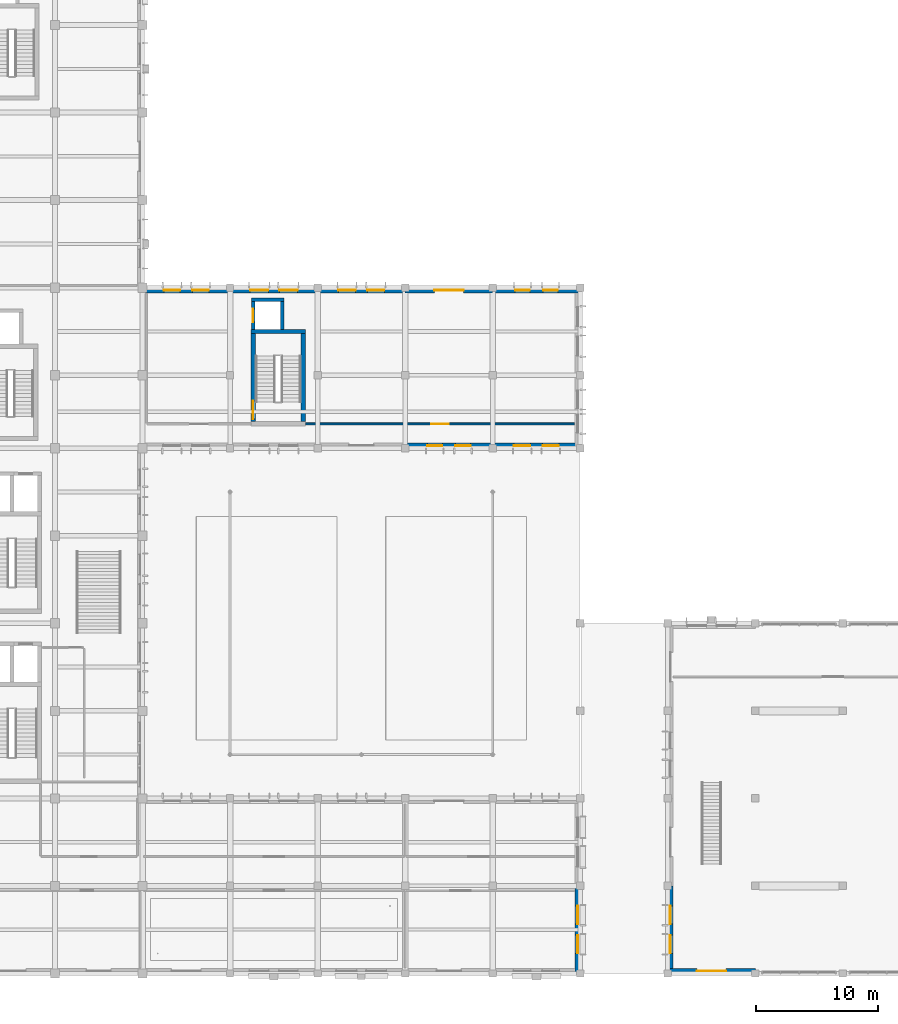
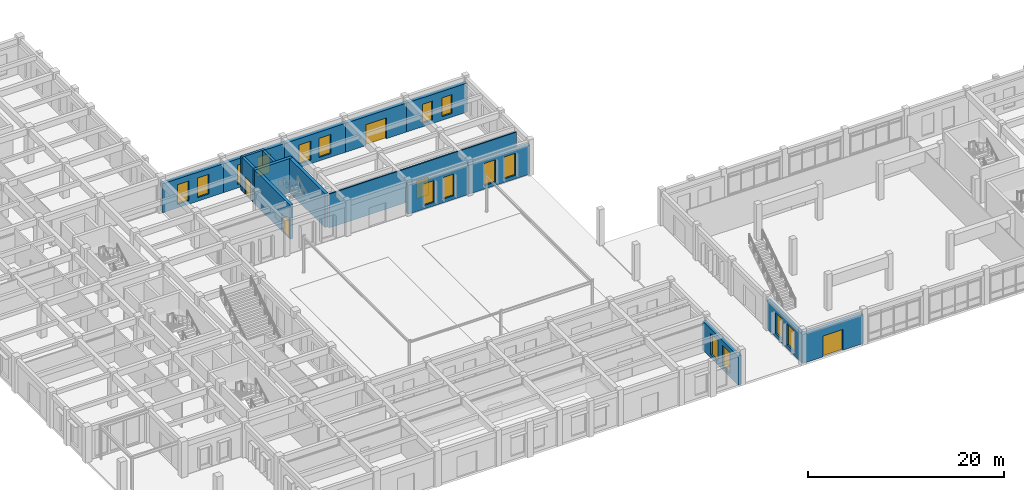
# One storey, part 25 of 43: 17 walls, 16 windows, 5 doors, 21 openings.
"""IFC4 building model written with IfcOpenShell, lengths in metres."""

from ifc_helpers import new_model, si_unit, direction, frame, frame_2d, origin, place, context, subcontext, project, spatial, rectangle, extrude, material, layer, layer_set, type_object, element, fill, save


model = new_model("IFC4")

# Units and contexts
model_context = context("Model", 3, precision=1e-05, world=origin(), true_north=direction((0.0, 1.0)))
body_context = subcontext(model_context, "Body", "Model", "MODEL_VIEW")
ifc_project = project(units=[si_unit("LENGTHUNIT", "METRE"), si_unit("AREAUNIT", "SQUARE_METRE"), si_unit("VOLUMEUNIT", "CUBIC_METRE"), si_unit("PLANEANGLEUNIT", "RADIAN"), si_unit("MASSUNIT", "GRAM", prefix="KILO")], contexts=[model_context])

# Site, building, storey
site_placement = place(None, origin())
site = spatial("IfcSite", under=ifc_project, at=site_placement, CompositionType="ELEMENT")
building_placement = place(site_placement, origin())
building = spatial("IfcBuilding", under=site, at=building_placement, Name="Alvorim Cloister Faculty of Sciences", CompositionType="ELEMENT")
storey_placement = place(building_placement, origin())
storey = spatial("IfcBuildingStorey", under=building, at=storey_placement, Name="L00", CompositionType="ELEMENT", Elevation=0.0)

# Wall, openings, windows
ifc_material_1 = material(Name="Maua Grey Granite Stone", Category="masonry")
ifc_layer_1 = layer(ifc_material_1, 0.419921875)
ifc_layer_set_1 = layer_set([ifc_layer_1], Name="Maua Grey Granite Stone")
wall_type_1 = type_object("IfcWallType", Name="WL-EXT-GRN-420", PredefinedType="SOLIDWALL", material=ifc_layer_set_1)
wall_1_placement = place(storey_placement, frame((64.590087890625, 0.0, 0.0), z_axis=(0.0, 0.0, 1.0), x_axis=(0.0, 1.0, 0.0)))
wall_1 = element("IfcWall", 1, at=wall_1_placement, inside=storey, type_object=wall_type_1, Name="L00 Exterior Wall WL-0018", PredefinedType="SOLIDWALL", context=body_context, shape_type="SweptSolid", body=[
    extrude(rectangle(XDim=7.199951171875, YDim=0.419921875, at=frame_2d((3.60009765625, 0.0))), origin(), (0.0, 0.0, 1.0), 3.6201171875),
])
opening_1_placement = place(wall_1_placement, frame((1.64990234375, 0.0, 0.449951171875)))
opening_1 = element("IfcOpeningElement", 2, at=opening_1_placement, cuts=wall_1, Name="Opening W-12", PredefinedType="OPENING", context=body_context, shape_type="SweptSolid", body=[
    extrude(rectangle(XDim=1.5, YDim=2.60009765625, at=frame_2d((0.75, 1.300048828125))), frame((0.0, 0.221923828125, 0.0), z_axis=(0.0, -1.0, 0.0), x_axis=(1.0, 0.0, 0.0)), (0.0, 0.0, 1.0), 0.44384765625),
])
opening_2_placement = place(wall_1_placement, frame((4.050048828125, 0.0, 0.449951171875)))
opening_2 = element("IfcOpeningElement", 3, at=opening_2_placement, cuts=wall_1, Name="Opening W-12", PredefinedType="OPENING", context=body_context, shape_type="SweptSolid", body=[
    extrude(rectangle(XDim=1.5, YDim=2.60009765625, at=frame_2d((0.75, 1.300048828125))), frame((0.0, 0.221923828125, 0.0), z_axis=(0.0, -1.0, 0.0), x_axis=(1.0, 0.0, 0.0)), (0.0, 0.0, 1.0), 0.44384765625),
])
ifc_material_2 = material(Name="Double Low-E Laminated Glass", Category="glass")
window_type_1 = type_object("IfcWindowType", Name="WN-LIB-1500x2600", PartitioningType="SINGLE_PANEL", PredefinedType="WINDOW", material=ifc_material_2)
window_1_placement = place(opening_1_placement, origin())
window_1 = element("IfcWindow", 4, at=window_1_placement, inside=storey, type_object=window_type_1, Name="L00 Gothic Lancet Window WN-0003", OverallHeight=2.60009765625, OverallWidth=1.5, PartitioningType="SINGLE_PANEL", PredefinedType="WINDOW", context=body_context, shape_type="SweptSolid", body=[
    extrude(rectangle(XDim=1.5, YDim=2.60009765625, at=frame_2d((0.75, 1.300048828125))), frame((0.0, 0.030029296875, 0.0), z_axis=(0.0, -1.0, 0.0), x_axis=(1.0, 0.0, 0.0)), (0.0, 0.0, 1.0), 0.06005859375),
])
fill(opening_1, window_1)
window_2_placement = place(opening_2_placement, origin())
window_2 = element("IfcWindow", 5, at=window_2_placement, inside=storey, type_object=window_type_1, Name="L00 Gothic Lancet Window WN-0004", OverallHeight=2.60009765625, OverallWidth=1.5, PartitioningType="SINGLE_PANEL", PredefinedType="WINDOW", context=body_context, shape_type="SweptSolid", body=[
    extrude(rectangle(XDim=1.5, YDim=2.60009765625, at=frame_2d((0.75, 1.300048828125))), frame((0.0, 0.030029296875, 0.0), z_axis=(0.0, -1.0, 0.0), x_axis=(1.0, 0.0, 0.0)), (0.0, 0.0, 1.0), 0.06005859375),
])
fill(opening_2, window_2)

wall_2_placement = place(storey_placement, frame((28.800048828125, 56.18994140625, 0.0), z_axis=(0.0, 0.0, 1.0), x_axis=(1.0, 0.0, 0.0)))
wall_2 = element("IfcWall", 6, at=wall_2_placement, inside=storey, type_object=wall_type_1, Name="L00 Exterior Wall WL-0056", PredefinedType="SOLIDWALL", context=body_context, shape_type="SweptSolid", body=[
    extrude(rectangle(XDim=7.199951171875, YDim=0.419921875, at=frame_2d((3.60009765625, 0.0))), origin(), (0.0, 0.0, 1.0), 3.6201171875),
])
opening_3_placement = place(wall_2_placement, frame((1.75, 0.0, 0.449951171875)))
opening_3 = element("IfcOpeningElement", 7, at=opening_3_placement, cuts=wall_2, Name="Opening W-18", PredefinedType="OPENING", context=body_context, shape_type="SweptSolid", body=[
    extrude(rectangle(XDim=1.35009765625, YDim=2.449951171875, at=frame_2d((0.675048828125, 1.22509765625))), frame((0.0, 0.221923828125, 0.0), z_axis=(0.0, -1.0, 0.0), x_axis=(1.0, 0.0, 0.0)), (0.0, 0.0, 1.0), 0.44384765625),
])
opening_4_placement = place(wall_2_placement, frame((4.10009765625, 0.0, 0.449951171875)))
opening_4 = element("IfcOpeningElement", 8, at=opening_4_placement, cuts=wall_2, Name="Opening W-18", PredefinedType="OPENING", context=body_context, shape_type="SweptSolid", body=[
    extrude(rectangle(XDim=1.35009765625, YDim=2.449951171875, at=frame_2d((0.675048828125, 1.22509765625))), frame((0.0, 0.221923828125, 0.0), z_axis=(0.0, -1.0, 0.0), x_axis=(1.0, 0.0, 0.0)), (0.0, 0.0, 1.0), 0.44384765625),
])
window_type_2 = type_object("IfcWindowType", Name="WN-LAB-1350x2450", PartitioningType="SINGLE_PANEL", PredefinedType="WINDOW", material=ifc_material_2)
window_3_placement = place(opening_3_placement, origin())
window_3 = element("IfcWindow", 9, at=window_3_placement, inside=storey, type_object=window_type_2, Name="L00 Gothic Lancet Window WN-0057", OverallHeight=2.449951171875, OverallWidth=1.35009765625, PartitioningType="SINGLE_PANEL", PredefinedType="WINDOW", context=body_context, shape_type="SweptSolid", body=[
    extrude(rectangle(XDim=1.35009765625, YDim=2.449951171875, at=frame_2d((0.675048828125, 1.22509765625))), frame((0.0, 0.030029296875, 0.0), z_axis=(0.0, -1.0, 0.0), x_axis=(1.0, 0.0, 0.0)), (0.0, 0.0, 1.0), 0.06005859375),
])
fill(opening_3, window_3)
window_4_placement = place(opening_4_placement, origin())
window_4 = element("IfcWindow", 10, at=window_4_placement, inside=storey, type_object=window_type_2, Name="L00 Gothic Lancet Window WN-0058", OverallHeight=2.449951171875, OverallWidth=1.35009765625, PartitioningType="SINGLE_PANEL", PredefinedType="WINDOW", context=body_context, shape_type="SweptSolid", body=[
    extrude(rectangle(XDim=1.35009765625, YDim=2.449951171875, at=frame_2d((0.675048828125, 1.22509765625))), frame((0.0, 0.030029296875, 0.0), z_axis=(0.0, -1.0, 0.0), x_axis=(1.0, 0.0, 0.0)), (0.0, 0.0, 1.0), 0.06005859375),
])
fill(opening_4, window_4)

wall_3_placement = place(storey_placement, frame((36.0, 56.18994140625, 0.0), z_axis=(0.0, 0.0, 1.0), x_axis=(1.0, 0.0, 0.0)))
wall_3 = element("IfcWall", 11, at=wall_3_placement, inside=storey, type_object=wall_type_1, Name="L00 Exterior Wall WL-0057", PredefinedType="SOLIDWALL", context=body_context, shape_type="SweptSolid", body=[
    extrude(rectangle(XDim=7.199951171875, YDim=0.419921875, at=frame_2d((3.60009765625, 0.0))), origin(), (0.0, 0.0, 1.0), 3.6201171875),
])
opening_5_placement = place(wall_3_placement, frame((1.64990234375, 0.0, 0.449951171875)))
opening_5 = element("IfcOpeningElement", 12, at=opening_5_placement, cuts=wall_3, Name="Opening W-19", PredefinedType="OPENING", context=body_context, shape_type="SweptSolid", body=[
    extrude(rectangle(XDim=1.5, YDim=2.39990234375, at=frame_2d((0.75, 1.199951171875))), frame((0.0, 0.221923828125, 0.0), z_axis=(0.0, -1.0, 0.0), x_axis=(1.0, 0.0, 0.0)), (0.0, 0.0, 1.0), 0.44384765625),
])
opening_6_placement = place(wall_3_placement, frame((4.050048828125, 0.0, 0.449951171875)))
opening_6 = element("IfcOpeningElement", 13, at=opening_6_placement, cuts=wall_3, Name="Opening W-19", PredefinedType="OPENING", context=body_context, shape_type="SweptSolid", body=[
    extrude(rectangle(XDim=1.5, YDim=2.39990234375, at=frame_2d((0.75, 1.199951171875))), frame((0.0, 0.221923828125, 0.0), z_axis=(0.0, -1.0, 0.0), x_axis=(1.0, 0.0, 0.0)), (0.0, 0.0, 1.0), 0.44384765625),
])
window_type_3 = type_object("IfcWindowType", Name="WN-OFF-1500x2400", PartitioningType="SINGLE_PANEL", PredefinedType="WINDOW", material=ifc_material_2)
window_5_placement = place(opening_5_placement, origin())
window_5 = element("IfcWindow", 14, at=window_5_placement, inside=storey, type_object=window_type_3, Name="L00 Gothic Lancet Window WN-0059", OverallHeight=2.39990234375, OverallWidth=1.5, PartitioningType="SINGLE_PANEL", PredefinedType="WINDOW", context=body_context, shape_type="SweptSolid", body=[
    extrude(rectangle(XDim=1.5, YDim=2.39990234375, at=frame_2d((0.75, 1.199951171875))), frame((0.0, 0.030029296875, 0.0), z_axis=(0.0, -1.0, 0.0), x_axis=(1.0, 0.0, 0.0)), (0.0, 0.0, 1.0), 0.06005859375),
])
fill(opening_5, window_5)
window_6_placement = place(opening_6_placement, origin())
window_6 = element("IfcWindow", 15, at=window_6_placement, inside=storey, type_object=window_type_3, Name="L00 Gothic Lancet Window WN-0060", OverallHeight=2.39990234375, OverallWidth=1.5, PartitioningType="SINGLE_PANEL", PredefinedType="WINDOW", context=body_context, shape_type="SweptSolid", body=[
    extrude(rectangle(XDim=1.5, YDim=2.39990234375, at=frame_2d((0.75, 1.199951171875))), frame((0.0, 0.030029296875, 0.0), z_axis=(0.0, -1.0, 0.0), x_axis=(1.0, 0.0, 0.0)), (0.0, 0.0, 1.0), 0.06005859375),
])
fill(opening_6, window_6)

wall_4_placement = place(storey_placement, frame((43.199951171875, 56.18994140625, 0.0), z_axis=(0.0, 0.0, 1.0), x_axis=(1.0, 0.0, 0.0)))
wall_4 = element("IfcWall", 16, at=wall_4_placement, inside=storey, type_object=wall_type_1, Name="L00 Exterior Wall WL-0058", PredefinedType="SOLIDWALL", context=body_context, shape_type="SweptSolid", body=[
    extrude(rectangle(XDim=7.199951171875, YDim=0.419921875, at=frame_2d((3.60009765625, 0.0))), origin(), (0.0, 0.0, 1.0), 3.6201171875),
])
opening_7_placement = place(wall_4_placement, frame((1.716796875, 0.0, 0.449951171875)))
opening_7 = element("IfcOpeningElement", 17, at=opening_7_placement, cuts=wall_4, Name="Opening W-20", PredefinedType="OPENING", context=body_context, shape_type="SweptSolid", body=[
    extrude(rectangle(XDim=1.39990234375, YDim=2.3798828125, at=frame_2d((0.699951171875, 1.18994140625))), frame((0.0, 0.221923828125, 0.0), z_axis=(0.0, -1.0, 0.0), x_axis=(1.0, 0.0, 0.0)), (0.0, 0.0, 1.0), 0.44384765625),
])
opening_8_placement = place(wall_4_placement, frame((4.083251953125, 0.0, 0.449951171875)))
opening_8 = element("IfcOpeningElement", 18, at=opening_8_placement, cuts=wall_4, Name="Opening W-20", PredefinedType="OPENING", context=body_context, shape_type="SweptSolid", body=[
    extrude(rectangle(XDim=1.39990234375, YDim=2.3798828125, at=frame_2d((0.699951171875, 1.18994140625))), frame((0.0, 0.221923828125, 0.0), z_axis=(0.0, -1.0, 0.0), x_axis=(1.0, 0.0, 0.0)), (0.0, 0.0, 1.0), 0.44384765625),
])
window_type_4 = type_object("IfcWindowType", Name="WN-OFF-1400x2380", PartitioningType="SINGLE_PANEL", PredefinedType="WINDOW", material=ifc_material_2)
window_7_placement = place(opening_7_placement, origin())
window_7 = element("IfcWindow", 19, at=window_7_placement, inside=storey, type_object=window_type_4, Name="L00 Gothic Lancet Window WN-0061", OverallHeight=2.3798828125, OverallWidth=1.39990234375, PartitioningType="SINGLE_PANEL", PredefinedType="WINDOW", context=body_context, shape_type="SweptSolid", body=[
    extrude(rectangle(XDim=1.39990234375, YDim=2.3798828125, at=frame_2d((0.699951171875, 1.18994140625))), frame((0.0, 0.030029296875, 0.0), z_axis=(0.0, -1.0, 0.0), x_axis=(1.0, 0.0, 0.0)), (0.0, 0.0, 1.0), 0.06005859375),
])
fill(opening_7, window_7)
window_8_placement = place(opening_8_placement, origin())
window_8 = element("IfcWindow", 20, at=window_8_placement, inside=storey, type_object=window_type_4, Name="L00 Gothic Lancet Window WN-0062", OverallHeight=2.3798828125, OverallWidth=1.39990234375, PartitioningType="SINGLE_PANEL", PredefinedType="WINDOW", context=body_context, shape_type="SweptSolid", body=[
    extrude(rectangle(XDim=1.39990234375, YDim=2.3798828125, at=frame_2d((0.699951171875, 1.18994140625))), frame((0.0, 0.030029296875, 0.0), z_axis=(0.0, -1.0, 0.0), x_axis=(1.0, 0.0, 0.0)), (0.0, 0.0, 1.0), 0.06005859375),
])
fill(opening_8, window_8)

# Wall, opening, door
wall_5_placement = place(storey_placement, frame((50.39990234375, 56.18994140625, 0.0), z_axis=(0.0, 0.0, 1.0), x_axis=(1.0, 0.0, 0.0)))
wall_5 = element("IfcWall", 21, at=wall_5_placement, inside=storey, type_object=wall_type_1, Name="L00 Exterior Wall WL-0059", PredefinedType="SOLIDWALL", context=body_context, shape_type="SweptSolid", body=[
    extrude(rectangle(XDim=7.2001953125, YDim=0.419921875, at=frame_2d((3.60009765625, 0.0))), origin(), (0.0, 0.0, 1.0), 3.6201171875),
])
opening_9_placement = place(wall_5_placement, frame((2.39990234375, 0.0, 0.0)))
opening_9 = element("IfcOpeningElement", 22, at=opening_9_placement, cuts=wall_5, Name="Opening SG-04", PredefinedType="OPENING", context=body_context, shape_type="SweptSolid", body=[
    extrude(rectangle(XDim=2.39990234375, YDim=2.60009765625, at=frame_2d((1.199951171875, 1.300048828125))), frame((0.0, 0.221923828125, 0.0), z_axis=(0.0, -1.0, 0.0), x_axis=(1.0, 0.0, 0.0)), (0.0, 0.0, 1.0), 0.44384765625),
])
ifc_material_3 = material(Name="Galvanised Steel Sheet", Category="steel")
door_type_1 = type_object("IfcDoorType", Name="DR-GATE-2400x2600", OperationType="NOTDEFINED", PredefinedType="GATE", material=ifc_material_3)
door_1_placement = place(opening_9_placement, origin())
door_1 = element("IfcDoor", 23, at=door_1_placement, inside=storey, type_object=door_type_1, Name="North Laboratory Yard Gate SG-04", OperationType="DOUBLE_DOOR_SINGLE_SWING", OverallHeight=2.60009765625, OverallWidth=2.39990234375, PredefinedType="GATE", context=body_context, shape_type="SweptSolid", body=[
    extrude(rectangle(XDim=2.39990234375, YDim=2.60009765625, at=frame_2d((1.199951171875, 1.300048828125))), frame((0.0, 0.02490234375, 0.0), z_axis=(0.0, -1.0, 0.0), x_axis=(1.0, 0.0, 0.0)), (0.0, 0.0, 1.0), 0.050048828125),
])
fill(opening_9, door_1)

# Wall, openings, windows
wall_6_placement = place(storey_placement, frame((57.60009765625, 56.18994140625, 0.0), z_axis=(0.0, 0.0, 1.0), x_axis=(1.0, 0.0, 0.0)))
wall_6 = element("IfcWall", 24, at=wall_6_placement, inside=storey, type_object=wall_type_1, Name="L00 Exterior Wall WL-0060", PredefinedType="SOLIDWALL", context=body_context, shape_type="SweptSolid", body=[
    extrude(rectangle(XDim=7.199951171875, YDim=0.419921875, at=frame_2d((3.60009765625, 0.0))), origin(), (0.0, 0.0, 1.0), 3.6201171875),
])
opening_10_placement = place(wall_6_placement, frame((1.85009765625, 0.0, 0.449951171875)))
opening_10 = element("IfcOpeningElement", 25, at=opening_10_placement, cuts=wall_6, Name="Opening W-22", PredefinedType="OPENING", context=body_context, shape_type="SweptSolid", body=[
    extrude(rectangle(XDim=1.199951171875, YDim=2.35009765625, at=frame_2d((0.60009765625, 1.175048828125))), frame((0.0, 0.221923828125, 0.0), z_axis=(0.0, -1.0, 0.0), x_axis=(1.0, 0.0, 0.0)), (0.0, 0.0, 1.0), 0.44384765625),
])
opening_11_placement = place(wall_6_placement, frame((4.14990234375, 0.0, 0.449951171875)))
opening_11 = element("IfcOpeningElement", 26, at=opening_11_placement, cuts=wall_6, Name="Opening W-22", PredefinedType="OPENING", context=body_context, shape_type="SweptSolid", body=[
    extrude(rectangle(XDim=1.199951171875, YDim=2.35009765625, at=frame_2d((0.60009765625, 1.175048828125))), frame((0.0, 0.221923828125, 0.0), z_axis=(0.0, -1.0, 0.0), x_axis=(1.0, 0.0, 0.0)), (0.0, 0.0, 1.0), 0.44384765625),
])
window_type_5 = type_object("IfcWindowType", Name="WN-OFF-1200x2350", PartitioningType="SINGLE_PANEL", PredefinedType="WINDOW", material=ifc_material_2)
window_9_placement = place(opening_10_placement, origin())
window_9 = element("IfcWindow", 27, at=window_9_placement, inside=storey, type_object=window_type_5, Name="L00 Gothic Lancet Window WN-0063", OverallHeight=2.35009765625, OverallWidth=1.199951171875, PartitioningType="SINGLE_PANEL", PredefinedType="WINDOW", context=body_context, shape_type="SweptSolid", body=[
    extrude(rectangle(XDim=1.199951171875, YDim=2.35009765625, at=frame_2d((0.60009765625, 1.175048828125))), frame((0.0, 0.030029296875, 0.0), z_axis=(0.0, -1.0, 0.0), x_axis=(1.0, 0.0, 0.0)), (0.0, 0.0, 1.0), 0.06005859375),
])
fill(opening_10, window_9)
window_10_placement = place(opening_11_placement, origin())
window_10 = element("IfcWindow", 28, at=window_10_placement, inside=storey, type_object=window_type_5, Name="L00 Gothic Lancet Window WN-0064", OverallHeight=2.35009765625, OverallWidth=1.199951171875, PartitioningType="SINGLE_PANEL", PredefinedType="WINDOW", context=body_context, shape_type="SweptSolid", body=[
    extrude(rectangle(XDim=1.199951171875, YDim=2.35009765625, at=frame_2d((0.60009765625, 1.175048828125))), frame((0.0, 0.030029296875, 0.0), z_axis=(0.0, -1.0, 0.0), x_axis=(1.0, 0.0, 0.0)), (0.0, 0.0, 1.0), 0.06005859375),
])
fill(opening_11, window_10)

wall_7_placement = place(storey_placement, frame((57.60009765625, 43.409912109375, 0.0), z_axis=(0.0, 0.0, 1.0), x_axis=(1.0, 0.0, 0.0)))
wall_7 = element("IfcWall", 29, at=wall_7_placement, inside=storey, type_object=wall_type_1, Name="L00 Exterior Wall WL-0063", PredefinedType="SOLIDWALL", context=body_context, shape_type="SweptSolid", body=[
    extrude(rectangle(XDim=7.199951171875, YDim=0.419921875, at=frame_2d((3.60009765625, 0.0))), origin(), (0.0, 0.0, 1.0), 3.6201171875),
])
opening_12_placement = place(wall_7_placement, frame((1.75, 0.0, 0.449951171875)))
opening_12 = element("IfcOpeningElement", 30, at=opening_12_placement, cuts=wall_7, Name="Opening W-09", PredefinedType="OPENING", context=body_context, shape_type="SweptSolid", body=[
    extrude(rectangle(XDim=1.35009765625, YDim=2.75, at=frame_2d((0.675048828125, 1.375))), frame((0.0, 0.221923828125, 0.0), z_axis=(0.0, -1.0, 0.0), x_axis=(1.0, 0.0, 0.0)), (0.0, 0.0, 1.0), 0.44384765625),
])
opening_13_placement = place(wall_7_placement, frame((4.10009765625, 0.0, 0.449951171875)))
opening_13 = element("IfcOpeningElement", 31, at=opening_13_placement, cuts=wall_7, Name="Opening W-09", PredefinedType="OPENING", context=body_context, shape_type="SweptSolid", body=[
    extrude(rectangle(XDim=1.35009765625, YDim=2.75, at=frame_2d((0.675048828125, 1.375))), frame((0.0, 0.221923828125, 0.0), z_axis=(0.0, -1.0, 0.0), x_axis=(1.0, 0.0, 0.0)), (0.0, 0.0, 1.0), 0.44384765625),
])
window_type_6 = type_object("IfcWindowType", Name="WN-LAN-1350x2750", PartitioningType="SINGLE_PANEL", PredefinedType="WINDOW", material=ifc_material_2)
window_11_placement = place(opening_12_placement, origin())
window_11 = element("IfcWindow", 32, at=window_11_placement, inside=storey, type_object=window_type_6, Name="L00 Gothic Lancet Window WN-0069", OverallHeight=2.75, OverallWidth=1.35009765625, PartitioningType="SINGLE_PANEL", PredefinedType="WINDOW", context=body_context, shape_type="SweptSolid", body=[
    extrude(rectangle(XDim=1.35009765625, YDim=2.75, at=frame_2d((0.675048828125, 1.375))), frame((0.0, 0.030029296875, 0.0), z_axis=(0.0, -1.0, 0.0), x_axis=(1.0, 0.0, 0.0)), (0.0, 0.0, 1.0), 0.06005859375),
])
fill(opening_12, window_11)
window_12_placement = place(opening_13_placement, origin())
window_12 = element("IfcWindow", 33, at=window_12_placement, inside=storey, type_object=window_type_6, Name="L00 Gothic Lancet Window WN-0070", OverallHeight=2.75, OverallWidth=1.35009765625, PartitioningType="SINGLE_PANEL", PredefinedType="WINDOW", context=body_context, shape_type="SweptSolid", body=[
    extrude(rectangle(XDim=1.35009765625, YDim=2.75, at=frame_2d((0.675048828125, 1.375))), frame((0.0, 0.030029296875, 0.0), z_axis=(0.0, -1.0, 0.0), x_axis=(1.0, 0.0, 0.0)), (0.0, 0.0, 1.0), 0.06005859375),
])
fill(opening_13, window_12)

wall_8_placement = place(storey_placement, frame((50.39990234375, 43.409912109375, 0.0), z_axis=(0.0, 0.0, 1.0), x_axis=(1.0, 0.0, 0.0)))
wall_8 = element("IfcWall", 34, at=wall_8_placement, inside=storey, type_object=wall_type_1, Name="L00 Exterior Wall WL-0064", PredefinedType="SOLIDWALL", context=body_context, shape_type="SweptSolid", body=[
    extrude(rectangle(XDim=7.2001953125, YDim=0.419921875, at=frame_2d((3.60009765625, 0.0))), origin(), (0.0, 0.0, 1.0), 3.6201171875),
])
opening_14_placement = place(wall_8_placement, frame((1.816650390625, 0.0, 0.449951171875)))
opening_14 = element("IfcOpeningElement", 35, at=opening_14_placement, cuts=wall_8, Name="Opening W-10", PredefinedType="OPENING", context=body_context, shape_type="SweptSolid", body=[
    extrude(rectangle(XDim=1.25, YDim=2.699951171875, at=frame_2d((0.625, 1.35009765625))), frame((0.0, 0.221923828125, 0.0), z_axis=(0.0, -1.0, 0.0), x_axis=(1.0, 0.0, 0.0)), (0.0, 0.0, 1.0), 0.44384765625),
])
opening_15_placement = place(wall_8_placement, frame((4.13330078125, 0.0, 0.449951171875)))
opening_15 = element("IfcOpeningElement", 36, at=opening_15_placement, cuts=wall_8, Name="Opening W-10", PredefinedType="OPENING", context=body_context, shape_type="SweptSolid", body=[
    extrude(rectangle(XDim=1.25, YDim=2.699951171875, at=frame_2d((0.625, 1.35009765625))), frame((0.0, 0.221923828125, 0.0), z_axis=(0.0, -1.0, 0.0), x_axis=(1.0, 0.0, 0.0)), (0.0, 0.0, 1.0), 0.44384765625),
])
window_type_7 = type_object("IfcWindowType", Name="WN-LAN-1250x2700", PartitioningType="SINGLE_PANEL", PredefinedType="WINDOW", material=ifc_material_2)
window_13_placement = place(opening_14_placement, origin())
window_13 = element("IfcWindow", 37, at=window_13_placement, inside=storey, type_object=window_type_7, Name="L00 Gothic Lancet Window WN-0071", OverallHeight=2.699951171875, OverallWidth=1.25, PartitioningType="SINGLE_PANEL", PredefinedType="WINDOW", context=body_context, shape_type="SweptSolid", body=[
    extrude(rectangle(XDim=1.25, YDim=2.699951171875, at=frame_2d((0.625, 1.35009765625))), frame((0.0, 0.030029296875, 0.0), z_axis=(0.0, -1.0, 0.0), x_axis=(1.0, 0.0, 0.0)), (0.0, 0.0, 1.0), 0.06005859375),
])
fill(opening_14, window_13)
window_14_placement = place(opening_15_placement, origin())
window_14 = element("IfcWindow", 38, at=window_14_placement, inside=storey, type_object=window_type_7, Name="L00 Gothic Lancet Window WN-0072", OverallHeight=2.699951171875, OverallWidth=1.25, PartitioningType="SINGLE_PANEL", PredefinedType="WINDOW", context=body_context, shape_type="SweptSolid", body=[
    extrude(rectangle(XDim=1.25, YDim=2.699951171875, at=frame_2d((0.625, 1.35009765625))), frame((0.0, 0.030029296875, 0.0), z_axis=(0.0, -1.0, 0.0), x_axis=(1.0, 0.0, 0.0)), (0.0, 0.0, 1.0), 0.06005859375),
])
fill(opening_15, window_14)

# Wall, opening, door
wall_9_placement = place(storey_placement, frame((72.0, 0.2099609375, 0.0), z_axis=(0.0, 0.0, 1.0), x_axis=(1.0, 0.0, 0.0)))
wall_9 = element("IfcWall", 39, at=wall_9_placement, inside=storey, type_object=wall_type_1, Name="L00 Exterior Wall WL-0097", PredefinedType="SOLIDWALL", context=body_context, shape_type="SweptSolid", body=[
    extrude(rectangle(XDim=7.199951171875, YDim=0.419921875, at=frame_2d((3.60009765625, 0.0))), origin(), (0.0, 0.0, 1.0), 3.6201171875),
])
opening_16_placement = place(wall_9_placement, frame((2.39990234375, 0.0, 0.0)))
opening_16 = element("IfcOpeningElement", 40, at=opening_16_placement, cuts=wall_9, Name="Opening ED-20", PredefinedType="OPENING", context=body_context, shape_type="SweptSolid", body=[
    extrude(rectangle(XDim=2.39990234375, YDim=2.60009765625, at=frame_2d((1.199951171875, 1.300048828125))), frame((0.0, 0.221923828125, 0.0), z_axis=(0.0, -1.0, 0.0), x_axis=(1.0, 0.0, 0.0)), (0.0, 0.0, 1.0), 0.44384765625),
])
ifc_material_4 = material(Name="Aluminium Alloy 6063-T6", Category="aluminium")
door_type_2 = type_object("IfcDoorType", Name="DR-EXIT-2400x2600", OperationType="NOTDEFINED", PredefinedType="DOOR", material=ifc_material_4)
door_2_placement = place(opening_16_placement, origin())
door_2 = element("IfcDoor", 41, at=door_2_placement, inside=storey, type_object=door_type_2, Name="Atrium South Avenue Entrance ED-20", OperationType="DOUBLE_DOOR_SINGLE_SWING", OverallHeight=2.60009765625, OverallWidth=2.39990234375, PredefinedType="DOOR", context=body_context, shape_type="SweptSolid", body=[
    extrude(rectangle(XDim=2.39990234375, YDim=2.60009765625, at=frame_2d((1.199951171875, 1.300048828125))), frame((0.0, 0.02490234375, 0.0), z_axis=(0.0, -1.0, 0.0), x_axis=(1.0, 0.0, 0.0)), (0.0, 0.0, 1.0), 0.050048828125),
])
fill(opening_16, door_2)

# Wall, openings, windows
wall_10_placement = place(storey_placement, frame((72.2099609375, 0.0, 0.0), z_axis=(0.0, 0.0, 1.0), x_axis=(0.0, 1.0, 0.0)))
wall_10 = element("IfcWall", 42, at=wall_10_placement, inside=storey, type_object=wall_type_1, Name="L00 Exterior Wall WL-0098", PredefinedType="SOLIDWALL", context=body_context, shape_type="SweptSolid", body=[
    extrude(rectangle(XDim=7.199951171875, YDim=0.419921875, at=frame_2d((3.60009765625, 0.0))), origin(), (0.0, 0.0, 1.0), 3.6201171875),
])
opening_17_placement = place(wall_10_placement, frame((1.64990234375, 0.0, 0.449951171875)))
opening_17 = element("IfcOpeningElement", 43, at=opening_17_placement, cuts=wall_10, Name="Opening W-12", PredefinedType="OPENING", context=body_context, shape_type="SweptSolid", body=[
    extrude(rectangle(XDim=1.5, YDim=2.60009765625, at=frame_2d((0.75, 1.300048828125))), frame((0.0, 0.221923828125, 0.0), z_axis=(0.0, -1.0, 0.0), x_axis=(1.0, 0.0, 0.0)), (0.0, 0.0, 1.0), 0.44384765625),
])
opening_18_placement = place(wall_10_placement, frame((4.050048828125, 0.0, 0.449951171875)))
opening_18 = element("IfcOpeningElement", 44, at=opening_18_placement, cuts=wall_10, Name="Opening W-12", PredefinedType="OPENING", context=body_context, shape_type="SweptSolid", body=[
    extrude(rectangle(XDim=1.5, YDim=2.60009765625, at=frame_2d((0.75, 1.300048828125))), frame((0.0, 0.221923828125, 0.0), z_axis=(0.0, -1.0, 0.0), x_axis=(1.0, 0.0, 0.0)), (0.0, 0.0, 1.0), 0.44384765625),
])
window_15_placement = place(opening_17_placement, origin())
window_15 = element("IfcWindow", 45, at=window_15_placement, inside=storey, type_object=window_type_1, Name="L00 Gothic Lancet Window WN-0114", OverallHeight=2.60009765625, OverallWidth=1.5, PartitioningType="SINGLE_PANEL", PredefinedType="WINDOW", context=body_context, shape_type="SweptSolid", body=[
    extrude(rectangle(XDim=1.5, YDim=2.60009765625, at=frame_2d((0.75, 1.300048828125))), frame((0.0, 0.030029296875, 0.0), z_axis=(0.0, -1.0, 0.0), x_axis=(1.0, 0.0, 0.0)), (0.0, 0.0, 1.0), 0.06005859375),
])
fill(opening_17, window_15)
window_16_placement = place(opening_18_placement, origin())
window_16 = element("IfcWindow", 46, at=window_16_placement, inside=storey, type_object=window_type_1, Name="L00 Gothic Lancet Window WN-0115", OverallHeight=2.60009765625, OverallWidth=1.5, PartitioningType="SINGLE_PANEL", PredefinedType="WINDOW", context=body_context, shape_type="SweptSolid", body=[
    extrude(rectangle(XDim=1.5, YDim=2.60009765625, at=frame_2d((0.75, 1.300048828125))), frame((0.0, 0.030029296875, 0.0), z_axis=(0.0, -1.0, 0.0), x_axis=(1.0, 0.0, 0.0)), (0.0, 0.0, 1.0), 0.06005859375),
])
fill(opening_18, window_16)

# Wall, opening, door
ifc_material_5 = material(Name="Gypsum Fireboard Stud Partition", Category="gypsum")
ifc_layer_2 = layer(ifc_material_5, 0.14990234375)
ifc_layer_set_2 = layer_set([ifc_layer_2], Name="Gypsum Fireboard Stud Partition")
wall_type_2 = type_object("IfcWallType", Name="WL-PRT-150", PredefinedType="PARTITIONING", material=ifc_layer_set_2)
wall_11_placement = place(storey_placement, frame((42.199951171875, 45.199951171875, 0.0), z_axis=(0.0, 0.0, 1.0), x_axis=(1.0, 0.0, 0.0)))
wall_11 = element("IfcWall", 47, at=wall_11_placement, inside=storey, type_object=wall_type_2, Name="L00 General Biology Teaching Laboratory Partition IWL-0476", PredefinedType="PARTITIONING", context=body_context, shape_type="SweptSolid", body=[
    extrude(rectangle(XDim=22.1201171875, YDim=0.14990234375, at=frame_2d((11.06005859375, 0.0))), origin(), (0.0, 0.0, 1.0), 4.235107421875),
])
opening_19_placement = place(wall_11_placement, frame((10.35009765625, 0.0, 0.0)))
opening_19 = element("IfcOpeningElement", 48, at=opening_19_placement, cuts=wall_11, Name="Opening D-L00-090", PredefinedType="OPENING", context=body_context, shape_type="SweptSolid", body=[
    extrude(rectangle(XDim=1.419921875, YDim=2.219970703125, at=frame_2d((0.7099609375, 1.10986328125))), frame((0.0, 0.0869140625, 0.0), z_axis=(0.0, -1.0, 0.0), x_axis=(1.0, 0.0, 0.0)), (0.0, 0.0, 1.0), 0.173828125),
])
ifc_material_6 = material(Name="Fire-Rated Laminate Timber", Category="wood")
door_type_3 = type_object("IfcDoorType", Name="DR-LAB-1420x2220", OperationType="NOTDEFINED", PredefinedType="DOOR", material=ifc_material_6)
door_3_placement = place(opening_19_placement, origin())
door_3 = element("IfcDoor", 49, at=door_3_placement, inside=storey, type_object=door_type_3, Name="General Biology Teaching Laboratory Door D-L00-090", OperationType="SINGLE_SWING_RIGHT", OverallHeight=2.219970703125, OverallWidth=1.419921875, PredefinedType="DOOR", context=body_context, shape_type="SweptSolid", body=[
    extrude(rectangle(XDim=1.419921875, YDim=2.219970703125, at=frame_2d((0.7099609375, 1.10986328125))), frame((0.0, 0.02490234375, 0.0), z_axis=(0.0, -1.0, 0.0), x_axis=(1.0, 0.0, 0.0)), (0.0, 0.0, 1.0), 0.050048828125),
])
fill(opening_19, door_3)

# Wall
ifc_material_7 = material(Name="Concrete C40", Category="concrete")
ifc_layer_3 = layer(ifc_material_7, 0.300048828125)
ifc_layer_set_3 = layer_set([ifc_layer_3], Name="Concrete C40")
wall_type_3 = type_object("IfcWallType", Name="WL-SHR-300", PredefinedType="SHEAR", material=ifc_layer_set_3)
wall_12_placement = place(storey_placement, frame((37.75, 55.39990234375, 0.0), z_axis=(0.0, 0.0, 1.0), x_axis=(1.0, 0.0, 0.0)))
element("IfcWall", 50, at=wall_12_placement, inside=storey, type_object=wall_type_3, Name="L00 Lift LP-04 Shaft Wall IWL-0341", PredefinedType="SHEAR", context=body_context, shape_type="SweptSolid", body=[
    extrude(rectangle(XDim=2.699951171875, YDim=0.300048828125, at=frame_2d((1.35009765625, 0.0))), origin(), (0.0, 0.0, 1.0), 4.25),
])

# Wall, opening, door
wall_13_placement = place(storey_placement, frame((37.89990234375, 52.97998046875, 0.0), z_axis=(0.0, 0.0, 1.0), x_axis=(0.0, 1.0, 0.0)))
wall_13 = element("IfcWall", 51, at=wall_13_placement, inside=storey, type_object=wall_type_3, Name="L00 Lift LP-04 Shaft Wall IWL-0342", PredefinedType="SHEAR", context=body_context, shape_type="SweptSolid", body=[
    extrude(rectangle(XDim=2.27001953125, YDim=0.300048828125, at=frame_2d((1.135009765625, 0.0))), origin(), (0.0, 0.0, 1.0), 4.25),
])
opening_20_placement = place(wall_13_placement, frame((0.5849609375, 0.0, 0.0)))
opening_20 = element("IfcOpeningElement", 52, at=opening_20_placement, cuts=wall_13, Name="Opening LD-044", PredefinedType="OPENING", context=body_context, shape_type="SweptSolid", body=[
    extrude(rectangle(XDim=1.10009765625, YDim=2.199951171875, at=frame_2d((0.550048828125, 1.10009765625))), frame((0.0, 0.162109375, 0.0), z_axis=(0.0, -1.0, 0.0), x_axis=(1.0, 0.0, 0.0)), (0.0, 0.0, 1.0), 0.323974609375),
])
ifc_material_8 = material(Name="Brushed Stainless Steel", Category="steel")
door_type_4 = type_object("IfcDoorType", Name="DR-LFT-1100x2200", OperationType="NOTDEFINED", PredefinedType="DOOR", material=ifc_material_8)
door_4_placement = place(opening_20_placement, origin())
door_4 = element("IfcDoor", 53, at=door_4_placement, inside=storey, type_object=door_type_4, Name="L00 Lift LP-04 Sliding Landing Door LD-044", OperationType="DOUBLE_DOOR_SLIDING", OverallHeight=2.199951171875, OverallWidth=1.10009765625, PredefinedType="DOOR", context=body_context, shape_type="SweptSolid", body=[
    extrude(rectangle(XDim=1.10009765625, YDim=2.199951171875, at=frame_2d((0.550048828125, 1.10009765625))), frame((0.0, 0.02490234375, 0.0), z_axis=(0.0, -1.0, 0.0), x_axis=(1.0, 0.0, 0.0)), (0.0, 0.0, 1.0), 0.050048828125),
])
fill(opening_20, door_4)

# Walls
wall_14_placement = place(storey_placement, frame((40.300048828125, 52.97998046875, 0.0), z_axis=(0.0, 0.0, 1.0), x_axis=(0.0, 1.0, 0.0)))
element("IfcWall", 54, at=wall_14_placement, inside=storey, type_object=wall_type_3, Name="L00 Lift LP-04 Shaft Wall IWL-0343", PredefinedType="SHEAR", context=body_context, shape_type="SweptSolid", body=[
    extrude(rectangle(XDim=2.27001953125, YDim=0.300048828125, at=frame_2d((1.135009765625, 0.0))), origin(), (0.0, 0.0, 1.0), 4.25),
])
ifc_layer_4 = layer(ifc_material_7, 0.360107421875)
ifc_layer_set_4 = layer_set([ifc_layer_4], Name="Concrete C40")
wall_type_4 = type_object("IfcWallType", Name="WL-SHR-360", PredefinedType="SHEAR", material=ifc_layer_set_4)
wall_15_placement = place(storey_placement, frame((37.719970703125, 52.800048828125, 0.0), z_axis=(0.0, 0.0, 1.0), x_axis=(1.0, 0.0, 0.0)))
element("IfcWall", 55, at=wall_15_placement, inside=storey, type_object=wall_type_4, Name="L00 CORE K4 Shear Wall IWL-0134", PredefinedType="SHEAR", context=body_context, shape_type="SweptSolid", body=[
    extrude(rectangle(XDim=4.47998046875, YDim=0.360107421875, at=frame_2d((2.239990234375, 0.0))), origin(), (0.0, 0.0, 1.0), 4.25),
])

# Wall, opening, door
wall_16_placement = place(storey_placement, frame((37.89990234375, 45.3798828125, 0.0), z_axis=(0.0, 0.0, 1.0), x_axis=(0.0, 1.0, 0.0)))
wall_16 = element("IfcWall", 56, at=wall_16_placement, inside=storey, type_object=wall_type_4, Name="L00 CORE K4 Shear Wall IWL-0135", PredefinedType="SHEAR", context=body_context, shape_type="SweptSolid", body=[
    extrude(rectangle(XDim=7.240234375, YDim=0.360107421875, at=frame_2d((3.6201171875, 0.0))), origin(), (0.0, 0.0, 1.0), 4.25),
])
opening_21_placement = place(wall_16_placement, frame((0.219970703125, 0.0, 0.0)))
opening_21 = element("IfcOpeningElement", 57, at=opening_21_placement, cuts=wall_16, Name="Opening SD-K4-L00", PredefinedType="OPENING", context=body_context, shape_type="SweptSolid", body=[
    extrude(rectangle(XDim=1.5, YDim=2.199951171875, at=frame_2d((0.75, 1.10009765625))), frame((0.0, 0.19189453125, 0.0), z_axis=(0.0, -1.0, 0.0), x_axis=(1.0, 0.0, 0.0)), (0.0, 0.0, 1.0), 0.384033203125),
])
ifc_material_9 = material(Name="Galvanised Fire-Rated Steel", Category="steel")
door_type_5 = type_object("IfcDoorType", Name="DR-STR-1500x2200", OperationType="NOTDEFINED", PredefinedType="DOOR", material=ifc_material_9)
door_5_placement = place(opening_21_placement, origin())
door_5 = element("IfcDoor", 58, at=door_5_placement, inside=storey, type_object=door_type_5, Name="L00 Stair ST-04 Fire Door SD-K4-L00", OperationType="DOUBLE_DOOR_SINGLE_SWING", OverallHeight=2.199951171875, OverallWidth=1.5, PredefinedType="DOOR", context=body_context, shape_type="SweptSolid", body=[
    extrude(rectangle(XDim=1.5, YDim=2.199951171875, at=frame_2d((0.75, 1.10009765625))), frame((0.0, 0.02490234375, 0.0), z_axis=(0.0, -1.0, 0.0), x_axis=(1.0, 0.0, 0.0)), (0.0, 0.0, 1.0), 0.050048828125),
])
fill(opening_21, door_5)

# Wall
wall_17_placement = place(storey_placement, frame((42.02001953125, 45.3798828125, 0.0), z_axis=(0.0, 0.0, 1.0), x_axis=(0.0, 1.0, 0.0)))
element("IfcWall", 59, at=wall_17_placement, inside=storey, type_object=wall_type_4, Name="L00 CORE K4 Shear Wall IWL-0136", PredefinedType="SHEAR", context=body_context, shape_type="SweptSolid", body=[
    extrude(rectangle(XDim=7.240234375, YDim=0.360107421875, at=frame_2d((3.6201171875, 0.0))), origin(), (0.0, 0.0, 1.0), 4.25),
])

save(model, "model.ifc")
